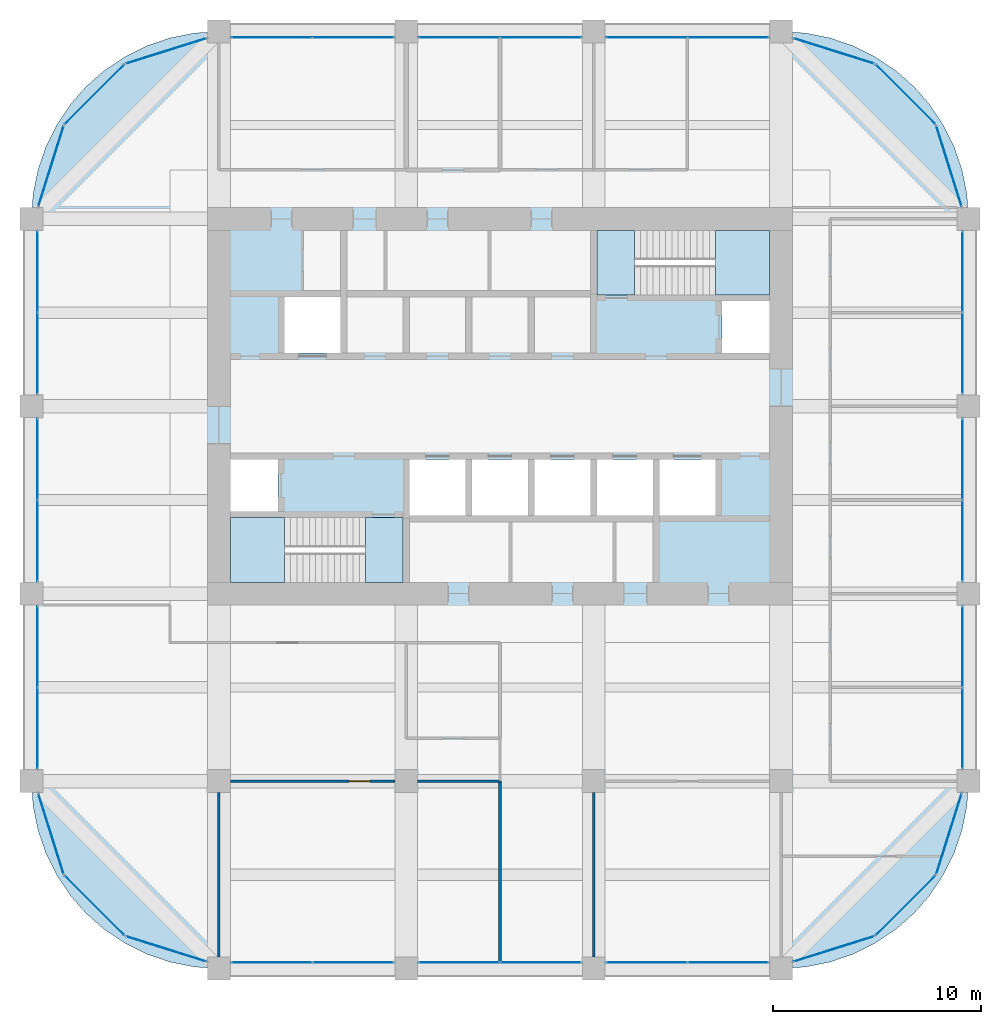
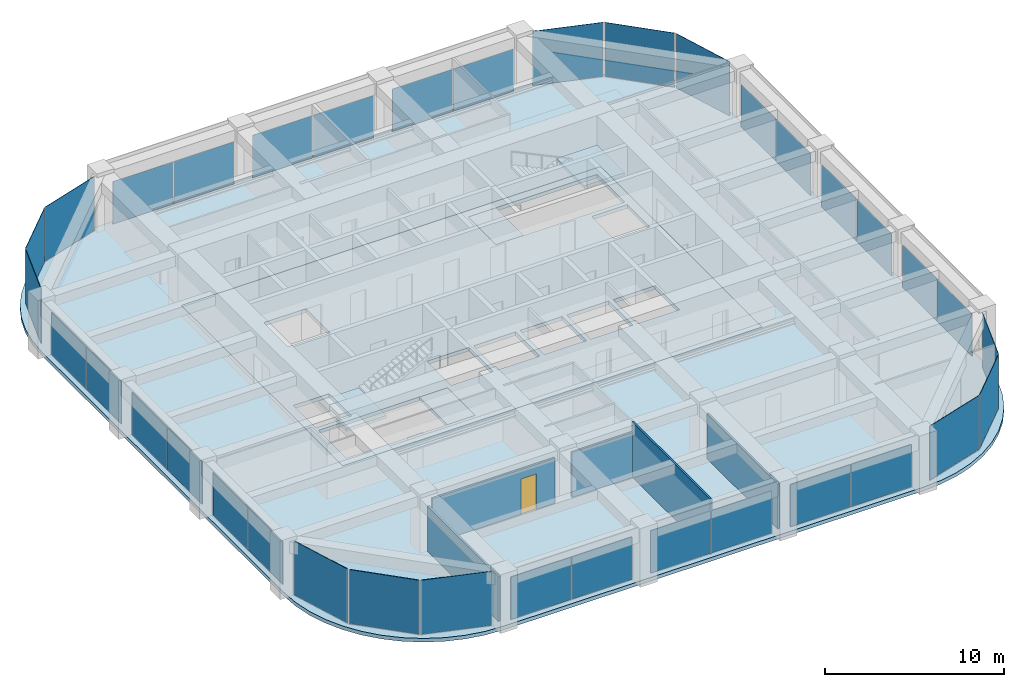
# One storey, part 40 of 45: 36 plates, 6 slabs, 5 walls, 1 door, 1 opening, 26 elements without a shape of their own.
"""IFC4 building model written with IfcOpenShell, lengths in metres."""

import ifcopenshell
import ifcopenshell.guid

model = None  # the IFC model being written
_history = None  # IfcOwnerHistory: only IFC2X3 demands one
_inside = {}  # id of a spatial element -> (the spatial element, [elements in it])
_under = {}  # id of a project, library or spatial element -> (it, [spatial elements below it])
_declared = {}  # id of a project -> (the project, [libraries it declares])
_typed = {}  # id of a type object -> (the type object, [elements of that type])
_made_of = {}  # id of a material, layer set ... -> (it, [elements and type objects made of it])


def new_model(schema):
    """Start an empty IFC model of exactly this schema.

    Asked for "IFC4X3", IfcOpenShell would pick the latest addendum, in which some entities
    have other attributes; the version numbers below select the first issue.
    IFC2X3 requires an IfcOwnerHistory on every rooted entity: one is made here for all.
    """
    global model, _history
    if schema == "IFC4X3":
        model = ifcopenshell.file(schema_version=(4, 3, 0, 0))
    else:
        model = ifcopenshell.file(schema=schema)
    _inside.clear()
    _under.clear()
    _declared.clear()
    _typed.clear()
    _made_of.clear()
    _history = None
    if model.schema == "IFC2X3":
        org = make("IfcOrganization", Name="unknown")
        user = make(
            "IfcPersonAndOrganization",
            ThePerson=make("IfcPerson", FamilyName="unknown"),
            TheOrganization=org,
        )
        app = make(
            "IfcApplication",
            ApplicationDeveloper=org,
            Version="unknown",
            ApplicationFullName="unknown",
            ApplicationIdentifier="unknown",
        )
        _history = make(
            "IfcOwnerHistory",
            OwningUser=user,
            OwningApplication=app,
            ChangeAction="ADDED",
            CreationDate=0,
        )
    return model


def make(cls, **values):
    """One entity of the class cls with the attributes given. An attribute that is None is left unset."""
    return model.create_entity(
        cls, **{name: value for name, value in values.items() if value is not None}
    )


def rooted(cls, **values):
    """An entity with a GlobalId (a new one), such as an element, a storey or a relation."""
    return make(cls, GlobalId=ifcopenshell.guid.new(), OwnerHistory=_history, **values)


def si_unit(unit_type, name, prefix=None):
    """IfcSIUnit, for example si_unit("LENGTHUNIT", "METRE", prefix="MILLI")."""
    return make("IfcSIUnit", UnitType=unit_type, Prefix=prefix, Name=name)


def assignment(units):
    """IfcUnitAssignment: the units of a project."""
    return None if units is None else make("IfcUnitAssignment", Units=units)


def point(xyz):
    """IfcCartesianPoint."""
    return None if xyz is None else make("IfcCartesianPoint", Coordinates=xyz)


def direction(xyz):
    """IfcDirection."""
    return None if xyz is None else make("IfcDirection", DirectionRatios=xyz)


def frame(location, z_axis=None, x_axis=None):
    """IfcAxis2Placement3D, a coordinate frame: its origin and axes. An axis left out is left unset."""
    return make(
        "IfcAxis2Placement3D",
        Location=point(location),
        Axis=direction(z_axis),
        RefDirection=direction(x_axis),
    )


def frame_2d(location, x_axis=None):
    """IfcAxis2Placement2D, a coordinate frame in the plane: its origin and x axis."""
    return make(
        "IfcAxis2Placement2D", Location=point(location), RefDirection=direction(x_axis)
    )


def origin():
    """The frame at (0, 0, 0) with its axes left unset."""
    return frame((0.0, 0.0, 0.0))


def origin_2d():
    """The frame at (0, 0) in the plane with its x axis left unset."""
    return frame_2d((0.0, 0.0))


def place(relative_to, where):
    """IfcLocalPlacement: puts the frame where relative to a parent placement (None: the world)."""
    return make(
        "IfcLocalPlacement", PlacementRelTo=relative_to, RelativePlacement=where
    )


def context(
    kind, dimensions, precision=None, world=None, true_north=None, identifier=None
):
    """IfcGeometricRepresentationContext, for example the 3D "Model" context."""
    return make(
        "IfcGeometricRepresentationContext",
        ContextIdentifier=identifier,
        ContextType=kind,
        CoordinateSpaceDimension=dimensions,
        Precision=precision,
        WorldCoordinateSystem=world,
        TrueNorth=true_north,
    )


def subcontext(parent, identifier, kind, view, scale=None):
    """IfcGeometricRepresentationSubContext, for example "Body" below "Model"."""
    return make(
        "IfcGeometricRepresentationSubContext",
        ContextIdentifier=identifier,
        ContextType=kind,
        ParentContext=parent,
        TargetScale=scale,
        TargetView=view,
    )


def project(units=None, contexts=None):
    """IfcProject with its units and contexts."""
    return rooted(
        "IfcProject",
        Name="project",
        RepresentationContexts=contexts,
        UnitsInContext=assignment(units),
    )


def spatial(cls, under=None, at=None, **own):
    """A site, building, storey or space (cls), placed at a placement, below another one or the project."""
    s = rooted(cls, ObjectPlacement=at, **own)
    if under is not None:
        _under.setdefault(under.id(), (under, []))[1].append(s)
    return s


def polyline(points):
    """IfcPolyline through the points."""
    return make("IfcPolyline", Points=[point(p) for p in points])


def profile(cls, at=None, kind="AREA", **sizes):
    """A parametric profile (cls). Its sizes go by their IFC names, for example OverallWidth=200.0."""
    return make(cls, ProfileType=kind, Position=at, **sizes)


def rectangle(**sizes):
    """IfcRectangleProfileDef."""
    return profile("IfcRectangleProfileDef", **sizes)


def outline(outer, holes=None, kind="AREA"):
    """IfcArbitraryClosedProfileDef: a profile drawn as a closed curve; with holes, ...WithVoids."""
    if holes is None:
        return make("IfcArbitraryClosedProfileDef", ProfileType=kind, OuterCurve=outer)
    return make(
        "IfcArbitraryProfileDefWithVoids",
        ProfileType=kind,
        OuterCurve=outer,
        InnerCurves=holes,
    )


def extrude(swept, where, along, depth):
    """IfcExtrudedAreaSolid: the profile swept, set in the frame where, extruded along a direction by depth."""
    return make(
        "IfcExtrudedAreaSolid",
        SweptArea=swept,
        Position=where,
        ExtrudedDirection=direction(along),
        Depth=depth,
    )


def shape(context_of_items, identifier, shape_type, items):
    """IfcShapeRepresentation: the items that make up one representation, for example the "Body"."""
    return make(
        "IfcShapeRepresentation",
        ContextOfItems=context_of_items,
        RepresentationIdentifier=identifier,
        RepresentationType=shape_type,
        Items=items,
    )


def material(Name=None, Category=None):
    """IfcMaterial."""
    return make("IfcMaterial", Name=Name, Category=Category)


def layer(
    of_material, thickness, ventilated=None, Name=None, Category=None, Priority=None
):
    """IfcMaterialLayer: one layer of a wall or slab, of a material (None: an air gap)."""
    return make(
        "IfcMaterialLayer",
        Material=of_material,
        LayerThickness=thickness,
        IsVentilated=ventilated,
        Name=Name,
        Category=Category,
        Priority=Priority,
    )


def layer_set(layers, Name=None):
    """IfcMaterialLayerSet."""
    return make("IfcMaterialLayerSet", MaterialLayers=layers, LayerSetName=Name)


def made_of(thing, what):
    """Note that an element or type object is made of a material, layer set ...; save() writes the relation."""
    if what is not None:
        _made_of.setdefault(what.id(), (what, []))[1].append(thing)
    return thing


def type_object(cls, material=None, **own):
    """A type object (cls), such as IfcWallType, which elements share."""
    return made_of(rooted(cls, **own), material)


def element(
    cls,
    number,
    at=None,
    inside=None,
    cuts=None,
    type_object=None,
    material=None,
    context=None,
    identifier="Body",
    shape_type=None,
    held_by="IfcProductDefinitionShape",
    body=None,
    shapes=None,
    **own,
):
    """One element of the class cls, such as IfcWall. Its Tag is "e" and its number.

    at: its placement. inside: the storey or other place that contains it. cuts: it is an
    opening in that element (IfcRelVoidsElement). A single representation is given by context,
    identifier, shape_type and body (its items); several are given by shapes. held_by: the class
    of the entity that holds the representations. save() writes the other relations.
    """
    e = rooted(cls, Tag="e%d" % number, ObjectPlacement=at, **own)
    if body is not None:
        shapes = [shape(context, identifier, shape_type, body)]
    if shapes is not None:
        e.Representation = make(held_by, Representations=shapes)
    if inside is not None:
        _inside.setdefault(inside.id(), (inside, []))[1].append(e)
    if cuts is not None:
        rooted(
            "IfcRelVoidsElement", RelatingBuildingElement=cuts, RelatedOpeningElement=e
        )
    if type_object is not None:
        _typed.setdefault(type_object.id(), (type_object, []))[1].append(e)
    return made_of(e, material)


def fill(opening, filler):
    """IfcRelFillsElement: the door or window that sits in an opening."""
    return rooted(
        "IfcRelFillsElement",
        RelatingOpeningElement=opening,
        RelatedBuildingElement=filler,
    )


def aggregate(whole, parts):
    """IfcRelAggregates: a whole, such as a stair, and the parts it consists of."""
    return rooted("IfcRelAggregates", RelatingObject=whole, RelatedObjects=parts)


def save(model, path):
    """Write the relations noted so far, then the file.

    IfcRelAggregates (storeys below a building ...), IfcRelContainedInSpatialStructure (elements
    in a storey), IfcRelDefinesByType, IfcRelAssociatesMaterial and IfcRelDeclares: one each for
    every whole, place, type object, material and project.
    """
    for whole, parts in _under.values():
        aggregate(whole, parts)
    for where, things in _inside.values():
        rooted(
            "IfcRelContainedInSpatialStructure",
            RelatedElements=things,
            RelatingStructure=where,
        )
    for kind, things in _typed.values():
        rooted("IfcRelDefinesByType", RelatedObjects=things, RelatingType=kind)
    for what, things in _made_of.values():
        rooted("IfcRelAssociatesMaterial", RelatedObjects=things, RelatingMaterial=what)
    for by, libraries in _declared.values():
        rooted("IfcRelDeclares", RelatingContext=by, RelatedDefinitions=libraries)
    model.write(path)


model = new_model("IFC4")

# Units and contexts
model_context = context("Model", 3, precision=1e-05, world=origin(), true_north=direction((0.0, 1.0)))
body_context = subcontext(model_context, "Body", "Model", "MODEL_VIEW")
ifc_project = project(units=[si_unit("LENGTHUNIT", "METRE"), si_unit("AREAUNIT", "SQUARE_METRE"), si_unit("VOLUMEUNIT", "CUBIC_METRE"), si_unit("PLANEANGLEUNIT", "RADIAN"), si_unit("MASSUNIT", "GRAM", prefix="KILO")], contexts=[model_context])

# Site, building, storey
site_placement = place(None, origin())
site = spatial("IfcSite", under=ifc_project, at=site_placement, CompositionType="ELEMENT")
building_placement = place(site_placement, origin())
building = spatial("IfcBuilding", under=site, at=building_placement, Name="Zorevar Civic Tower", CompositionType="ELEMENT")
storey_placement = place(building_placement, frame((0.0, 0.0, 279.39990234375)))
storey = spatial("IfcBuildingStorey", under=building, at=storey_placement, Name="L68", CompositionType="ELEMENT", Elevation=279.39990234375)

# Curtain wall, plates
ifc_material_1 = material(Name="Dark grey solar-control glass in black aluminium frame", Category="aluminium")
curtain_wall_type = type_object("IfcCurtainWallType", Name="Curtain wall CW5 top zone", PredefinedType="NOTDEFINED", material=ifc_material_1)
curtain_wall_1_placement = place(storey_placement, origin())
curtain_wall_1 = element("IfcCurtainWall", 1, at=curtain_wall_1_placement, inside=storey, type_object=curtain_wall_type, Name="CW5 L68", PredefinedType="NOTDEFINED")
ifc_material_2 = material(Name="Dark grey solar-control glass", Category="glass")
ifc_layer_1 = layer(ifc_material_2, 0.028076171875)
ifc_layer_set_1 = layer_set([ifc_layer_1], Name="CW5 panel 28")
plate_type = type_object("IfcPlateType", Name="CW5 panel 28", PredefinedType="CURTAIN_PANEL", material=ifc_layer_set_1)
plate_1_placement = place(storey_placement, frame((20.5400390625, 0.300048828125, 0.06005859375), z_axis=(0.0, 0.0, 1.0), x_axis=(1.0, 0.0, 0.0)))
plate_1 = element("IfcPlate", 2, at=plate_1_placement, type_object=plate_type, Name="CW5 panel 1.1", PredefinedType="CURTAIN_PANEL", context=body_context, shape_type="SweptSolid", body=[
    extrude(rectangle(XDim=3.860107421875, YDim=0.028076171875, at=origin_2d()), origin(), (0.0, 0.0, 1.0), 2.889892578125),
])
plate_2_placement = place(storey_placement, frame((24.4599609375, 0.300048828125, 0.06005859375), z_axis=(0.0, 0.0, 1.0), x_axis=(1.0, 0.0, 0.0)))
plate_2 = element("IfcPlate", 3, at=plate_2_placement, type_object=plate_type, Name="CW5 panel 2.1", PredefinedType="CURTAIN_PANEL", context=body_context, shape_type="SweptSolid", body=[
    extrude(rectangle(XDim=3.860107421875, YDim=0.028076171875, at=origin_2d()), origin(), (0.0, 0.0, 1.0), 2.889892578125),
])
aggregate(curtain_wall_1, [plate_1, plate_2])

curtain_wall_2_placement = place(storey_placement, origin())
curtain_wall_2 = element("IfcCurtainWall", 4, at=curtain_wall_2_placement, inside=storey, type_object=curtain_wall_type, Name="CW5 L68", PredefinedType="NOTDEFINED")
plate_3_placement = place(storey_placement, frame((20.5400390625, 44.699951171875, 0.06005859375), z_axis=(0.0, 0.0, 1.0), x_axis=(1.0, 0.0, 0.0)))
plate_3 = element("IfcPlate", 5, at=plate_3_placement, type_object=plate_type, Name="CW5 panel 1.1", PredefinedType="CURTAIN_PANEL", context=body_context, shape_type="SweptSolid", body=[
    extrude(rectangle(XDim=3.860107421875, YDim=0.028076171875, at=origin_2d()), origin(), (0.0, 0.0, 1.0), 2.889892578125),
])
plate_4_placement = place(storey_placement, frame((24.4599609375, 44.699951171875, 0.06005859375), z_axis=(0.0, 0.0, 1.0), x_axis=(1.0, 0.0, 0.0)))
plate_4 = element("IfcPlate", 6, at=plate_4_placement, type_object=plate_type, Name="CW5 panel 2.1", PredefinedType="CURTAIN_PANEL", context=body_context, shape_type="SweptSolid", body=[
    extrude(rectangle(XDim=3.860107421875, YDim=0.028076171875, at=origin_2d()), origin(), (0.0, 0.0, 1.0), 2.889892578125),
])
aggregate(curtain_wall_2, [plate_3, plate_4])

curtain_wall_3_placement = place(storey_placement, origin())
curtain_wall_3 = element("IfcCurtainWall", 7, at=curtain_wall_3_placement, inside=storey, type_object=curtain_wall_type, Name="CW5 L68", PredefinedType="NOTDEFINED")
plate_5_placement = place(storey_placement, frame((29.5400390625, 0.300048828125, 0.06005859375), z_axis=(0.0, 0.0, 1.0), x_axis=(1.0, 0.0, 0.0)))
plate_5 = element("IfcPlate", 8, at=plate_5_placement, type_object=plate_type, Name="CW5 panel 1.1", PredefinedType="CURTAIN_PANEL", context=body_context, shape_type="SweptSolid", body=[
    extrude(rectangle(XDim=3.860107421875, YDim=0.028076171875, at=origin_2d()), origin(), (0.0, 0.0, 1.0), 2.889892578125),
])
plate_6_placement = place(storey_placement, frame((33.4599609375, 0.300048828125, 0.06005859375), z_axis=(0.0, 0.0, 1.0), x_axis=(1.0, 0.0, 0.0)))
plate_6 = element("IfcPlate", 9, at=plate_6_placement, type_object=plate_type, Name="CW5 panel 2.1", PredefinedType="CURTAIN_PANEL", context=body_context, shape_type="SweptSolid", body=[
    extrude(rectangle(XDim=3.860107421875, YDim=0.028076171875, at=origin_2d()), origin(), (0.0, 0.0, 1.0), 2.889892578125),
])
aggregate(curtain_wall_3, [plate_5, plate_6])

curtain_wall_4_placement = place(storey_placement, origin())
curtain_wall_4 = element("IfcCurtainWall", 10, at=curtain_wall_4_placement, inside=storey, type_object=curtain_wall_type, Name="CW5 L68", PredefinedType="NOTDEFINED")
plate_7_placement = place(storey_placement, frame((29.5400390625, 44.699951171875, 0.06005859375), z_axis=(0.0, 0.0, 1.0), x_axis=(1.0, 0.0, 0.0)))
plate_7 = element("IfcPlate", 11, at=plate_7_placement, type_object=plate_type, Name="CW5 panel 1.1", PredefinedType="CURTAIN_PANEL", context=body_context, shape_type="SweptSolid", body=[
    extrude(rectangle(XDim=3.860107421875, YDim=0.028076171875, at=origin_2d()), origin(), (0.0, 0.0, 1.0), 2.889892578125),
])
plate_8_placement = place(storey_placement, frame((33.4599609375, 44.699951171875, 0.06005859375), z_axis=(0.0, 0.0, 1.0), x_axis=(1.0, 0.0, 0.0)))
plate_8 = element("IfcPlate", 12, at=plate_8_placement, type_object=plate_type, Name="CW5 panel 2.1", PredefinedType="CURTAIN_PANEL", context=body_context, shape_type="SweptSolid", body=[
    extrude(rectangle(XDim=3.860107421875, YDim=0.028076171875, at=origin_2d()), origin(), (0.0, 0.0, 1.0), 2.889892578125),
])
aggregate(curtain_wall_4, [plate_7, plate_8])

curtain_wall_5_placement = place(storey_placement, origin())
curtain_wall_5 = element("IfcCurtainWall", 13, at=curtain_wall_5_placement, inside=storey, type_object=curtain_wall_type, Name="CW5 L68", PredefinedType="NOTDEFINED")
plate_9_placement = place(storey_placement, frame((38.5400390625, 0.300048828125, 0.06005859375), z_axis=(0.0, 0.0, 1.0), x_axis=(1.0, 0.0, 0.0)))
plate_9 = element("IfcPlate", 14, at=plate_9_placement, type_object=plate_type, Name="CW5 panel 1.1", PredefinedType="CURTAIN_PANEL", context=body_context, shape_type="SweptSolid", body=[
    extrude(rectangle(XDim=3.860107421875, YDim=0.028076171875, at=origin_2d()), origin(), (0.0, 0.0, 1.0), 2.889892578125),
])
plate_10_placement = place(storey_placement, frame((42.4599609375, 0.300048828125, 0.06005859375), z_axis=(0.0, 0.0, 1.0), x_axis=(1.0, 0.0, 0.0)))
plate_10 = element("IfcPlate", 15, at=plate_10_placement, type_object=plate_type, Name="CW5 panel 2.1", PredefinedType="CURTAIN_PANEL", context=body_context, shape_type="SweptSolid", body=[
    extrude(rectangle(XDim=3.860107421875, YDim=0.028076171875, at=origin_2d()), origin(), (0.0, 0.0, 1.0), 2.889892578125),
])
aggregate(curtain_wall_5, [plate_9, plate_10])

curtain_wall_6_placement = place(storey_placement, origin())
curtain_wall_6 = element("IfcCurtainWall", 16, at=curtain_wall_6_placement, inside=storey, type_object=curtain_wall_type, Name="CW5 L68", PredefinedType="NOTDEFINED")
plate_11_placement = place(storey_placement, frame((38.5400390625, 44.699951171875, 0.06005859375), z_axis=(0.0, 0.0, 1.0), x_axis=(1.0, 0.0, 0.0)))
plate_11 = element("IfcPlate", 17, at=plate_11_placement, type_object=plate_type, Name="CW5 panel 1.1", PredefinedType="CURTAIN_PANEL", context=body_context, shape_type="SweptSolid", body=[
    extrude(rectangle(XDim=3.860107421875, YDim=0.028076171875, at=origin_2d()), origin(), (0.0, 0.0, 1.0), 2.889892578125),
])
plate_12_placement = place(storey_placement, frame((42.4599609375, 44.699951171875, 0.06005859375), z_axis=(0.0, 0.0, 1.0), x_axis=(1.0, 0.0, 0.0)))
plate_12 = element("IfcPlate", 18, at=plate_12_placement, type_object=plate_type, Name="CW5 panel 2.1", PredefinedType="CURTAIN_PANEL", context=body_context, shape_type="SweptSolid", body=[
    extrude(rectangle(XDim=3.860107421875, YDim=0.028076171875, at=origin_2d()), origin(), (0.0, 0.0, 1.0), 2.889892578125),
])
aggregate(curtain_wall_6, [plate_11, plate_12])

curtain_wall_7_placement = place(storey_placement, origin())
curtain_wall_7 = element("IfcCurtainWall", 19, at=curtain_wall_7_placement, inside=storey, type_object=curtain_wall_type, Name="CW5 L68", PredefinedType="NOTDEFINED")
plate_13_placement = place(storey_placement, frame((9.300048828125, 11.5400390625, 0.06005859375), z_axis=(0.0, 0.0, 1.0), x_axis=(0.0, 1.0, 0.0)))
plate_13 = element("IfcPlate", 20, at=plate_13_placement, type_object=plate_type, Name="CW5 panel 1.1", PredefinedType="CURTAIN_PANEL", context=body_context, shape_type="SweptSolid", body=[
    extrude(rectangle(XDim=3.860107421875, YDim=0.028076171875, at=origin_2d()), origin(), (0.0, 0.0, 1.0), 2.889892578125),
])
plate_14_placement = place(storey_placement, frame((9.300048828125, 15.4599609375, 0.06005859375), z_axis=(0.0, 0.0, 1.0), x_axis=(0.0, 1.0, 0.0)))
plate_14 = element("IfcPlate", 21, at=plate_14_placement, type_object=plate_type, Name="CW5 panel 2.1", PredefinedType="CURTAIN_PANEL", context=body_context, shape_type="SweptSolid", body=[
    extrude(rectangle(XDim=3.860107421875, YDim=0.028076171875, at=origin_2d()), origin(), (0.0, 0.0, 1.0), 2.889892578125),
])
aggregate(curtain_wall_7, [plate_13, plate_14])

curtain_wall_8_placement = place(storey_placement, origin())
curtain_wall_8 = element("IfcCurtainWall", 22, at=curtain_wall_8_placement, inside=storey, type_object=curtain_wall_type, Name="CW5 L68", PredefinedType="NOTDEFINED")
plate_15_placement = place(storey_placement, frame((53.699951171875, 11.5400390625, 0.06005859375), z_axis=(0.0, 0.0, 1.0), x_axis=(0.0, 1.0, 0.0)))
plate_15 = element("IfcPlate", 23, at=plate_15_placement, type_object=plate_type, Name="CW5 panel 1.1", PredefinedType="CURTAIN_PANEL", context=body_context, shape_type="SweptSolid", body=[
    extrude(rectangle(XDim=3.860107421875, YDim=0.028076171875, at=origin_2d()), origin(), (0.0, 0.0, 1.0), 2.889892578125),
])
plate_16_placement = place(storey_placement, frame((53.699951171875, 15.4599609375, 0.06005859375), z_axis=(0.0, 0.0, 1.0), x_axis=(0.0, 1.0, 0.0)))
plate_16 = element("IfcPlate", 24, at=plate_16_placement, type_object=plate_type, Name="CW5 panel 2.1", PredefinedType="CURTAIN_PANEL", context=body_context, shape_type="SweptSolid", body=[
    extrude(rectangle(XDim=3.860107421875, YDim=0.028076171875, at=origin_2d()), origin(), (0.0, 0.0, 1.0), 2.889892578125),
])
aggregate(curtain_wall_8, [plate_15, plate_16])

curtain_wall_9_placement = place(storey_placement, origin())
curtain_wall_9 = element("IfcCurtainWall", 25, at=curtain_wall_9_placement, inside=storey, type_object=curtain_wall_type, Name="CW5 L68", PredefinedType="NOTDEFINED")
plate_17_placement = place(storey_placement, frame((9.300048828125, 20.5400390625, 0.06005859375), z_axis=(0.0, 0.0, 1.0), x_axis=(0.0, 1.0, 0.0)))
plate_17 = element("IfcPlate", 26, at=plate_17_placement, type_object=plate_type, Name="CW5 panel 1.1", PredefinedType="CURTAIN_PANEL", context=body_context, shape_type="SweptSolid", body=[
    extrude(rectangle(XDim=3.860107421875, YDim=0.028076171875, at=origin_2d()), origin(), (0.0, 0.0, 1.0), 2.889892578125),
])
plate_18_placement = place(storey_placement, frame((9.300048828125, 24.4599609375, 0.06005859375), z_axis=(0.0, 0.0, 1.0), x_axis=(0.0, 1.0, 0.0)))
plate_18 = element("IfcPlate", 27, at=plate_18_placement, type_object=plate_type, Name="CW5 panel 2.1", PredefinedType="CURTAIN_PANEL", context=body_context, shape_type="SweptSolid", body=[
    extrude(rectangle(XDim=3.860107421875, YDim=0.028076171875, at=origin_2d()), origin(), (0.0, 0.0, 1.0), 2.889892578125),
])
aggregate(curtain_wall_9, [plate_17, plate_18])

curtain_wall_10_placement = place(storey_placement, origin())
curtain_wall_10 = element("IfcCurtainWall", 28, at=curtain_wall_10_placement, inside=storey, type_object=curtain_wall_type, Name="CW5 L68", PredefinedType="NOTDEFINED")
plate_19_placement = place(storey_placement, frame((53.699951171875, 20.5400390625, 0.06005859375), z_axis=(0.0, 0.0, 1.0), x_axis=(0.0, 1.0, 0.0)))
plate_19 = element("IfcPlate", 29, at=plate_19_placement, type_object=plate_type, Name="CW5 panel 1.1", PredefinedType="CURTAIN_PANEL", context=body_context, shape_type="SweptSolid", body=[
    extrude(rectangle(XDim=3.860107421875, YDim=0.028076171875, at=origin_2d()), origin(), (0.0, 0.0, 1.0), 2.889892578125),
])
plate_20_placement = place(storey_placement, frame((53.699951171875, 24.4599609375, 0.06005859375), z_axis=(0.0, 0.0, 1.0), x_axis=(0.0, 1.0, 0.0)))
plate_20 = element("IfcPlate", 30, at=plate_20_placement, type_object=plate_type, Name="CW5 panel 2.1", PredefinedType="CURTAIN_PANEL", context=body_context, shape_type="SweptSolid", body=[
    extrude(rectangle(XDim=3.860107421875, YDim=0.028076171875, at=origin_2d()), origin(), (0.0, 0.0, 1.0), 2.889892578125),
])
aggregate(curtain_wall_10, [plate_19, plate_20])

curtain_wall_11_placement = place(storey_placement, origin())
curtain_wall_11 = element("IfcCurtainWall", 31, at=curtain_wall_11_placement, inside=storey, type_object=curtain_wall_type, Name="CW5 L68", PredefinedType="NOTDEFINED")
plate_21_placement = place(storey_placement, frame((9.300048828125, 29.5400390625, 0.06005859375), z_axis=(0.0, 0.0, 1.0), x_axis=(0.0, 1.0, 0.0)))
plate_21 = element("IfcPlate", 32, at=plate_21_placement, type_object=plate_type, Name="CW5 panel 1.1", PredefinedType="CURTAIN_PANEL", context=body_context, shape_type="SweptSolid", body=[
    extrude(rectangle(XDim=3.860107421875, YDim=0.028076171875, at=origin_2d()), origin(), (0.0, 0.0, 1.0), 2.889892578125),
])
plate_22_placement = place(storey_placement, frame((9.300048828125, 33.4599609375, 0.06005859375), z_axis=(0.0, 0.0, 1.0), x_axis=(0.0, 1.0, 0.0)))
plate_22 = element("IfcPlate", 33, at=plate_22_placement, type_object=plate_type, Name="CW5 panel 2.1", PredefinedType="CURTAIN_PANEL", context=body_context, shape_type="SweptSolid", body=[
    extrude(rectangle(XDim=3.860107421875, YDim=0.028076171875, at=origin_2d()), origin(), (0.0, 0.0, 1.0), 2.889892578125),
])
aggregate(curtain_wall_11, [plate_21, plate_22])

curtain_wall_12_placement = place(storey_placement, origin())
curtain_wall_12 = element("IfcCurtainWall", 34, at=curtain_wall_12_placement, inside=storey, type_object=curtain_wall_type, Name="CW5 L68", PredefinedType="NOTDEFINED")
plate_23_placement = place(storey_placement, frame((53.699951171875, 29.5400390625, 0.06005859375), z_axis=(0.0, 0.0, 1.0), x_axis=(0.0, 1.0, 0.0)))
plate_23 = element("IfcPlate", 35, at=plate_23_placement, type_object=plate_type, Name="CW5 panel 1.1", PredefinedType="CURTAIN_PANEL", context=body_context, shape_type="SweptSolid", body=[
    extrude(rectangle(XDim=3.860107421875, YDim=0.028076171875, at=origin_2d()), origin(), (0.0, 0.0, 1.0), 2.889892578125),
])
plate_24_placement = place(storey_placement, frame((53.699951171875, 33.4599609375, 0.06005859375), z_axis=(0.0, 0.0, 1.0), x_axis=(0.0, 1.0, 0.0)))
plate_24 = element("IfcPlate", 36, at=plate_24_placement, type_object=plate_type, Name="CW5 panel 2.1", PredefinedType="CURTAIN_PANEL", context=body_context, shape_type="SweptSolid", body=[
    extrude(rectangle(XDim=3.860107421875, YDim=0.028076171875, at=origin_2d()), origin(), (0.0, 0.0, 1.0), 2.889892578125),
])
aggregate(curtain_wall_12, [plate_23, plate_24])

# Curtain wall, plate
curtain_wall_13_placement = place(storey_placement, origin())
curtain_wall_13 = element("IfcCurtainWall", 37, at=curtain_wall_13_placement, inside=storey, type_object=curtain_wall_type, Name="CW5 L68", PredefinedType="NOTDEFINED")
plate_25_placement = place(storey_placement, frame((47.52880859375, 0.938232421875, 0.06005859375), z_axis=(0.0, 0.0, 1.0), x_axis=(0.954153437674, 0.299317920238, 0.0)))
plate_25 = element("IfcPlate", 38, at=plate_25_placement, type_object=plate_type, Name="CW5 panel 1.1", PredefinedType="CURTAIN_PANEL", context=body_context, shape_type="SweptSolid", body=[
    extrude(rectangle(XDim=4.028076171875, YDim=0.028076171875, at=origin_2d()), origin(), (0.0, 0.0, 1.0), 3.68994140625),
])
aggregate(curtain_wall_13, [plate_25])

curtain_wall_14_placement = place(storey_placement, origin())
curtain_wall_14 = element("IfcCurtainWall", 39, at=curtain_wall_14_placement, inside=storey, type_object=curtain_wall_type, Name="CW5 L68", PredefinedType="NOTDEFINED")
plate_26_placement = place(storey_placement, frame((50.974365234375, 3.025634765625, 0.06005859375), z_axis=(0.0, 0.0, 1.0), x_axis=(0.707106781187, 0.707106781187, 0.0)))
plate_26 = element("IfcPlate", 40, at=plate_26_placement, type_object=plate_type, Name="CW5 panel 1.1", PredefinedType="CURTAIN_PANEL", context=body_context, shape_type="SweptSolid", body=[
    extrude(rectangle(XDim=4.028076171875, YDim=0.028076171875, at=origin_2d()), origin(), (0.0, 0.0, 1.0), 3.68994140625),
])
aggregate(curtain_wall_14, [plate_26])

curtain_wall_15_placement = place(storey_placement, origin())
curtain_wall_15 = element("IfcCurtainWall", 41, at=curtain_wall_15_placement, inside=storey, type_object=curtain_wall_type, Name="CW5 L68", PredefinedType="NOTDEFINED")
plate_27_placement = place(storey_placement, frame((53.061767578125, 6.47119140625, 0.06005859375), z_axis=(0.0, 0.0, 1.0), x_axis=(0.299317920238, 0.954153437674, 0.0)))
plate_27 = element("IfcPlate", 42, at=plate_27_placement, type_object=plate_type, Name="CW5 panel 1.1", PredefinedType="CURTAIN_PANEL", context=body_context, shape_type="SweptSolid", body=[
    extrude(rectangle(XDim=4.028076171875, YDim=0.028076171875, at=origin_2d()), origin(), (0.0, 0.0, 1.0), 3.68994140625),
])
aggregate(curtain_wall_15, [plate_27])

curtain_wall_16_placement = place(storey_placement, origin())
curtain_wall_16 = element("IfcCurtainWall", 43, at=curtain_wall_16_placement, inside=storey, type_object=curtain_wall_type, Name="CW5 L68", PredefinedType="NOTDEFINED")
plate_28_placement = place(storey_placement, frame((53.061767578125, 38.52880859375, 0.06005859375), z_axis=(0.0, 0.0, 1.0), x_axis=(-0.299317920238, 0.954153437674, 0.0)))
plate_28 = element("IfcPlate", 44, at=plate_28_placement, type_object=plate_type, Name="CW5 panel 1.1", PredefinedType="CURTAIN_PANEL", context=body_context, shape_type="SweptSolid", body=[
    extrude(rectangle(XDim=4.028076171875, YDim=0.028076171875, at=origin_2d()), origin(), (0.0, 0.0, 1.0), 3.68994140625),
])
aggregate(curtain_wall_16, [plate_28])

curtain_wall_17_placement = place(storey_placement, origin())
curtain_wall_17 = element("IfcCurtainWall", 45, at=curtain_wall_17_placement, inside=storey, type_object=curtain_wall_type, Name="CW5 L68", PredefinedType="NOTDEFINED")
plate_29_placement = place(storey_placement, frame((50.974365234375, 41.974365234375, 0.06005859375), z_axis=(0.0, 0.0, 1.0), x_axis=(-0.707106781187, 0.707106781187, 0.0)))
plate_29 = element("IfcPlate", 46, at=plate_29_placement, type_object=plate_type, Name="CW5 panel 1.1", PredefinedType="CURTAIN_PANEL", context=body_context, shape_type="SweptSolid", body=[
    extrude(rectangle(XDim=4.028076171875, YDim=0.028076171875, at=origin_2d()), origin(), (0.0, 0.0, 1.0), 3.68994140625),
])
aggregate(curtain_wall_17, [plate_29])

curtain_wall_18_placement = place(storey_placement, origin())
curtain_wall_18 = element("IfcCurtainWall", 47, at=curtain_wall_18_placement, inside=storey, type_object=curtain_wall_type, Name="CW5 L68", PredefinedType="NOTDEFINED")
plate_30_placement = place(storey_placement, frame((47.52880859375, 44.061767578125, 0.06005859375), z_axis=(0.0, 0.0, 1.0), x_axis=(-0.954153437674, 0.299317920238, 0.0)))
plate_30 = element("IfcPlate", 48, at=plate_30_placement, type_object=plate_type, Name="CW5 panel 1.1", PredefinedType="CURTAIN_PANEL", context=body_context, shape_type="SweptSolid", body=[
    extrude(rectangle(XDim=4.028076171875, YDim=0.028076171875, at=origin_2d()), origin(), (0.0, 0.0, 1.0), 3.68994140625),
])
aggregate(curtain_wall_18, [plate_30])

curtain_wall_19_placement = place(storey_placement, origin())
curtain_wall_19 = element("IfcCurtainWall", 49, at=curtain_wall_19_placement, inside=storey, type_object=curtain_wall_type, Name="CW5 L68", PredefinedType="NOTDEFINED")
plate_31_placement = place(storey_placement, frame((15.47119140625, 44.061767578125, 0.06005859375), z_axis=(0.0, 0.0, 1.0), x_axis=(-0.954153437674, -0.299317920238, 0.0)))
plate_31 = element("IfcPlate", 50, at=plate_31_placement, type_object=plate_type, Name="CW5 panel 1.1", PredefinedType="CURTAIN_PANEL", context=body_context, shape_type="SweptSolid", body=[
    extrude(rectangle(XDim=4.028076171875, YDim=0.028076171875, at=origin_2d()), origin(), (0.0, 0.0, 1.0), 3.68994140625),
])
aggregate(curtain_wall_19, [plate_31])

curtain_wall_20_placement = place(storey_placement, origin())
curtain_wall_20 = element("IfcCurtainWall", 51, at=curtain_wall_20_placement, inside=storey, type_object=curtain_wall_type, Name="CW5 L68", PredefinedType="NOTDEFINED")
plate_32_placement = place(storey_placement, frame((12.025634765625, 41.974365234375, 0.06005859375), z_axis=(0.0, 0.0, 1.0), x_axis=(-0.707106781187, -0.707106781187, 0.0)))
plate_32 = element("IfcPlate", 52, at=plate_32_placement, type_object=plate_type, Name="CW5 panel 1.1", PredefinedType="CURTAIN_PANEL", context=body_context, shape_type="SweptSolid", body=[
    extrude(rectangle(XDim=4.028076171875, YDim=0.028076171875, at=origin_2d()), origin(), (0.0, 0.0, 1.0), 3.68994140625),
])
aggregate(curtain_wall_20, [plate_32])

curtain_wall_21_placement = place(storey_placement, origin())
curtain_wall_21 = element("IfcCurtainWall", 53, at=curtain_wall_21_placement, inside=storey, type_object=curtain_wall_type, Name="CW5 L68", PredefinedType="NOTDEFINED")
plate_33_placement = place(storey_placement, frame((9.938232421875, 38.52880859375, 0.06005859375), z_axis=(0.0, 0.0, 1.0), x_axis=(-0.299317920238, -0.954153437674, 0.0)))
plate_33 = element("IfcPlate", 54, at=plate_33_placement, type_object=plate_type, Name="CW5 panel 1.1", PredefinedType="CURTAIN_PANEL", context=body_context, shape_type="SweptSolid", body=[
    extrude(rectangle(XDim=4.028076171875, YDim=0.028076171875, at=origin_2d()), origin(), (0.0, 0.0, 1.0), 3.68994140625),
])
aggregate(curtain_wall_21, [plate_33])

curtain_wall_22_placement = place(storey_placement, origin())
curtain_wall_22 = element("IfcCurtainWall", 55, at=curtain_wall_22_placement, inside=storey, type_object=curtain_wall_type, Name="CW5 L68", PredefinedType="NOTDEFINED")
plate_34_placement = place(storey_placement, frame((9.938232421875, 6.47119140625, 0.06005859375), z_axis=(0.0, 0.0, 1.0), x_axis=(0.299317920238, -0.954153437674, 0.0)))
plate_34 = element("IfcPlate", 56, at=plate_34_placement, type_object=plate_type, Name="CW5 panel 1.1", PredefinedType="CURTAIN_PANEL", context=body_context, shape_type="SweptSolid", body=[
    extrude(rectangle(XDim=4.028076171875, YDim=0.028076171875, at=origin_2d()), origin(), (0.0, 0.0, 1.0), 3.68994140625),
])
aggregate(curtain_wall_22, [plate_34])

curtain_wall_23_placement = place(storey_placement, origin())
curtain_wall_23 = element("IfcCurtainWall", 57, at=curtain_wall_23_placement, inside=storey, type_object=curtain_wall_type, Name="CW5 L68", PredefinedType="NOTDEFINED")
plate_35_placement = place(storey_placement, frame((12.025634765625, 3.025634765625, 0.06005859375), z_axis=(0.0, 0.0, 1.0), x_axis=(0.707106781187, -0.707106781187, 0.0)))
plate_35 = element("IfcPlate", 58, at=plate_35_placement, type_object=plate_type, Name="CW5 panel 1.1", PredefinedType="CURTAIN_PANEL", context=body_context, shape_type="SweptSolid", body=[
    extrude(rectangle(XDim=4.028076171875, YDim=0.028076171875, at=origin_2d()), origin(), (0.0, 0.0, 1.0), 3.68994140625),
])
aggregate(curtain_wall_23, [plate_35])

curtain_wall_24_placement = place(storey_placement, origin())
curtain_wall_24 = element("IfcCurtainWall", 59, at=curtain_wall_24_placement, inside=storey, type_object=curtain_wall_type, Name="CW5 L68", PredefinedType="NOTDEFINED")
plate_36_placement = place(storey_placement, frame((15.47119140625, 0.938232421875, 0.06005859375), z_axis=(0.0, 0.0, 1.0), x_axis=(0.954153437674, -0.299317920238, 0.0)))
plate_36 = element("IfcPlate", 60, at=plate_36_placement, type_object=plate_type, Name="CW5 panel 1.1", PredefinedType="CURTAIN_PANEL", context=body_context, shape_type="SweptSolid", body=[
    extrude(rectangle(XDim=4.028076171875, YDim=0.028076171875, at=origin_2d()), origin(), (0.0, 0.0, 1.0), 3.68994140625),
])
aggregate(curtain_wall_24, [plate_36])

# Slabs
ifc_material_3 = material(Name="Concrete C40/50", Category="concrete")
ifc_layer_2 = layer(ifc_material_3, 0.25)
ifc_layer_set_2 = layer_set([ifc_layer_2], Name="Compartment floor slab 250")
slab_type_1 = type_object("IfcSlabType", Name="Compartment floor slab 250", PredefinedType="FLOOR", material=ifc_layer_set_2)
slab_1_placement = place(storey_placement, frame((0.0, 0.0, -0.25)))
element("IfcSlab", 61, at=slab_1_placement, inside=storey, type_object=slab_type_1, Name="Floor slab L68", PredefinedType="FLOOR", context=body_context, shape_type="SweptSolid", body=[
    extrude(outline(polyline([(45.0, 0.0), (46.1748046875, 0.076904296875), (47.329345703125, 0.306640625), (48.444091796875, 0.68505859375), (49.5, 1.205810546875), (50.478759765625, 1.85986328125), (51.364013671875, 2.635986328125), (52.14013671875, 3.521240234375), (52.794189453125, 4.5), (53.31494140625, 5.555908203125), (53.693359375, 6.670654296875), (53.923095703125, 7.8251953125), (54.0, 9.0), (54.0, 36.0), (53.923095703125, 37.1748046875), (53.693359375, 38.329345703125), (53.31494140625, 39.444091796875), (52.794189453125, 40.5), (52.14013671875, 41.478759765625), (51.364013671875, 42.364013671875), (50.478759765625, 43.14013671875), (49.5, 43.794189453125), (48.444091796875, 44.31494140625), (47.329345703125, 44.693359375), (46.1748046875, 44.923095703125), (45.0, 45.0), (18.0, 45.0), (16.8251953125, 44.923095703125), (15.670654296875, 44.693359375), (14.555908203125, 44.31494140625), (13.5, 43.794189453125), (12.521240234375, 43.14013671875), (11.635986328125, 42.364013671875), (10.85986328125, 41.478759765625), (10.205810546875, 40.5), (9.68505859375, 39.444091796875), (9.306640625, 38.329345703125), (9.076904296875, 37.1748046875), (9.0, 36.0), (9.0, 9.0), (9.076904296875, 7.8251953125), (9.306640625, 6.670654296875), (9.68505859375, 5.555908203125), (10.205810546875, 4.5), (10.85986328125, 3.521240234375), (11.635986328125, 2.635986328125), (12.521240234375, 1.85986328125), (13.5, 1.205810546875), (14.555908203125, 0.68505859375), (15.670654296875, 0.306640625), (16.8251953125, 0.076904296875), (18.0, 0.0), (45.0, 0.0)]), holes=[polyline([(18.0, 18.0), (45.0, 18.0), (45.0, 36.0), (18.0, 36.0), (18.0, 18.0)])]), origin(), (0.0, 0.0, 1.0), 0.25),
])
slab_2_placement = place(storey_placement, frame((0.0, 0.0, -0.25)))
element("IfcSlab", 62, at=slab_2_placement, inside=storey, type_object=slab_type_1, Name="Core floor L68", PredefinedType="FLOOR", context=body_context, shape_type="SweptSolid", body=[
    extrude(outline(polyline([(18.0, 18.0), (45.0, 18.0), (45.0, 36.0), (18.0, 36.0), (18.0, 18.0)]), holes=[polyline([(18.550048828125, 18.550048828125), (26.85009765625, 18.550048828125), (26.85009765625, 21.64990234375), (18.550048828125, 21.64990234375), (18.550048828125, 18.550048828125)]), polyline([(36.14990234375, 32.35009765625), (44.449951171875, 32.35009765625), (44.449951171875, 35.449951171875), (36.14990234375, 35.449951171875), (36.14990234375, 32.35009765625)]), polyline([(18.550048828125, 21.949951171875), (20.85009765625, 21.949951171875), (20.85009765625, 24.449951171875), (18.550048828125, 24.449951171875), (18.550048828125, 21.949951171875)]), polyline([(42.14990234375, 29.550048828125), (44.449951171875, 29.550048828125), (44.449951171875, 32.050048828125), (42.14990234375, 32.050048828125), (42.14990234375, 29.550048828125)]), polyline([(27.14990234375, 21.75), (29.85009765625, 21.75), (29.85009765625, 24.449951171875), (27.14990234375, 24.449951171875), (27.14990234375, 21.75)]), polyline([(30.14990234375, 21.75), (32.85009765625, 21.75), (32.85009765625, 24.449951171875), (30.14990234375, 24.449951171875), (30.14990234375, 21.75)]), polyline([(33.14990234375, 21.75), (35.85009765625, 21.75), (35.85009765625, 24.449951171875), (33.14990234375, 24.449951171875), (33.14990234375, 21.75)]), polyline([(36.14990234375, 21.75), (38.85009765625, 21.75), (38.85009765625, 24.449951171875), (36.14990234375, 24.449951171875), (36.14990234375, 21.75)]), polyline([(39.14990234375, 21.75), (41.85009765625, 21.75), (41.85009765625, 24.449951171875), (39.14990234375, 24.449951171875), (39.14990234375, 21.75)]), polyline([(21.14990234375, 29.550048828125), (23.85009765625, 29.550048828125), (23.85009765625, 32.25), (21.14990234375, 32.25), (21.14990234375, 29.550048828125)])]), origin(), (0.0, 0.0, 1.0), 0.25),
])

# Stair, slabs
ifc_material_4 = material(Name="Precast concrete C40/50", Category="concrete")
stair_type = type_object("IfcStairType", Name="Stair ST 28R", PredefinedType="HALF_TURN_STAIR", material=ifc_material_4)
stair_1_placement = place(storey_placement, origin())
stair_1 = element("IfcStair", 63, at=stair_1_placement, inside=storey, type_object=stair_type, Name="Stair ST1 L68", PredefinedType="HALF_TURN_STAIR")
ifc_material_5 = material(Name="Concrete C40/50", Category="concrete")
ifc_layer_3 = layer(ifc_material_5, 0.199951171875)
ifc_layer_set_3 = layer_set([ifc_layer_3], Name="Stair landing 200")
slab_type_2 = type_object("IfcSlabType", Name="Stair landing 200", PredefinedType="LANDING", material=ifc_layer_set_3)
slab_3_placement = place(storey_placement, frame((0.0, 0.0, -0.199951171875)))
slab_3 = element("IfcSlab", 64, at=slab_3_placement, type_object=slab_type_2, Name="ST1 landing 1", PredefinedType="LANDING", context=body_context, shape_type="SweptSolid", body=[
    extrude(outline(polyline([(25.050048828125, 18.550048828125), (26.85009765625, 18.550048828125), (26.85009765625, 21.64990234375), (25.050048828125, 21.64990234375), (25.050048828125, 18.550048828125)])), origin(), (0.0, 0.0, 1.0), 0.199951171875),
])
slab_4_placement = place(storey_placement, frame((0.0, 0.0, 1.800048828125)))
slab_4 = element("IfcSlab", 65, at=slab_4_placement, type_object=slab_type_2, Name="ST1 landing 2", PredefinedType="LANDING", context=body_context, shape_type="SweptSolid", body=[
    extrude(outline(polyline([(18.550048828125, 18.550048828125), (21.14990234375, 18.550048828125), (21.14990234375, 21.64990234375), (18.550048828125, 21.64990234375), (18.550048828125, 18.550048828125)])), origin(), (0.0, 0.0, 1.0), 0.199951171875),
])
aggregate(stair_1, [slab_3, slab_4])

stair_2_placement = place(storey_placement, origin())
stair_2 = element("IfcStair", 66, at=stair_2_placement, inside=storey, type_object=stair_type, Name="Stair ST2 L68", PredefinedType="HALF_TURN_STAIR")
slab_5_placement = place(storey_placement, frame((0.0, 0.0, -0.199951171875)))
slab_5 = element("IfcSlab", 67, at=slab_5_placement, type_object=slab_type_2, Name="ST2 landing 1", PredefinedType="LANDING", context=body_context, shape_type="SweptSolid", body=[
    extrude(outline(polyline([(37.949951171875, 32.35009765625), (36.14990234375, 32.35009765625), (36.14990234375, 35.449951171875), (37.949951171875, 35.449951171875), (37.949951171875, 32.35009765625)])), origin(), (0.0, 0.0, 1.0), 0.199951171875),
])
slab_6_placement = place(storey_placement, frame((0.0, 0.0, 1.800048828125)))
slab_6 = element("IfcSlab", 68, at=slab_6_placement, type_object=slab_type_2, Name="ST2 landing 2", PredefinedType="LANDING", context=body_context, shape_type="SweptSolid", body=[
    extrude(outline(polyline([(44.449951171875, 32.35009765625), (41.85009765625, 32.35009765625), (41.85009765625, 35.449951171875), (44.449951171875, 35.449951171875), (44.449951171875, 32.35009765625)])), origin(), (0.0, 0.0, 1.0), 0.199951171875),
])
aggregate(stair_2, [slab_5, slab_6])

# Wall, opening, door
ifc_material_6 = material(Name="Gypsum board on steel studs", Category="steel")
ifc_layer_4 = layer(ifc_material_6, 0.1201171875)
ifc_layer_set_4 = layer_set([ifc_layer_4], Name="Partition 120")
wall_type = type_object("IfcWallType", Name="Partition 120", PredefinedType="PARTITIONING", material=ifc_layer_set_4)
wall_1_placement = place(storey_placement, frame((18.550048828125, 9.0, 0.0), z_axis=(0.0, 0.0, 1.0), x_axis=(1.0, 0.0, 0.0)))
wall_1 = element("IfcWall", 69, at=wall_1_placement, inside=storey, type_object=wall_type, Name="Partition 120 L68", PredefinedType="PARTITIONING", context=body_context, shape_type="SweptSolid", body=[
    extrude(rectangle(XDim=7.89990234375, YDim=0.1201171875, at=frame_2d((3.949951171875, 0.0))), origin(), (0.0, 0.0, 1.0), 3.050048828125),
])
opening_placement = place(wall_1_placement, frame((5.699951171875, 0.0, 0.0)))
opening = element("IfcOpeningElement", 70, at=opening_placement, cuts=wall_1, Name="Opening L68.18", PredefinedType="OPENING", context=body_context, shape_type="SweptSolid", body=[
    extrude(rectangle(XDim=1.0, YDim=2.39990234375, at=frame_2d((0.5, 1.199951171875))), frame((0.0, 0.070068359375, 0.0), z_axis=(0.0, -1.0, 0.0), x_axis=(1.0, 0.0, 0.0)), (0.0, 0.0, 1.0), 0.14013671875),
])
ifc_material_7 = material(Name="Timber door set", Category="wood")
door_type = type_object("IfcDoorType", Name="Door D1 1000x2400", OperationType="SINGLE_SWING_LEFT", PredefinedType="DOOR", material=ifc_material_7)
door_placement = place(opening_placement, origin())
door = element("IfcDoor", 71, at=door_placement, inside=storey, type_object=door_type, Name="Door L68 D1", OperationType="SINGLE_SWING_LEFT", OverallHeight=2.39990234375, OverallWidth=1.0, PredefinedType="DOOR", context=body_context, shape_type="SweptSolid", body=[
    extrude(rectangle(XDim=1.0, YDim=2.39990234375, at=frame_2d((0.5, 1.199951171875))), frame((0.0, 0.02490234375, 0.0), z_axis=(0.0, -1.0, 0.0), x_axis=(1.0, 0.0, 0.0)), (0.0, 0.0, 1.0), 0.050048828125),
])
fill(opening, door)

# Walls
wall_2_placement = place(storey_placement, frame((27.550048828125, 9.0, 0.0), z_axis=(0.0, 0.0, 1.0), x_axis=(1.0, 0.0, 0.0)))
element("IfcWall", 72, at=wall_2_placement, inside=storey, type_object=wall_type, Name="Partition 120 L68", PredefinedType="PARTITIONING", context=body_context, shape_type="SweptSolid", body=[
    extrude(rectangle(XDim=3.949951171875, YDim=0.1201171875, at=frame_2d((1.97509765625, 0.0))), origin(), (0.0, 0.0, 1.0), 3.050048828125),
])
wall_3_placement = place(storey_placement, frame((18.0, 0.550048828125, 0.0), z_axis=(0.0, 0.0, 1.0), x_axis=(0.0, 1.0, 0.0)))
element("IfcWall", 73, at=wall_3_placement, inside=storey, type_object=wall_type, Name="Partition 120 L68", PredefinedType="PARTITIONING", context=body_context, shape_type="SweptSolid", body=[
    extrude(rectangle(XDim=7.89990234375, YDim=0.1201171875, at=frame_2d((3.949951171875, 0.0))), origin(), (0.0, 0.0, 1.0), 3.050048828125),
])
wall_4_placement = place(storey_placement, frame((31.5, 0.31005859375, 0.0), z_axis=(0.0, 0.0, 1.0), x_axis=(0.0, 1.0, 0.0)))
element("IfcWall", 74, at=wall_4_placement, inside=storey, type_object=wall_type, Name="Partition 120 L68", PredefinedType="PARTITIONING", context=body_context, shape_type="SweptSolid", body=[
    extrude(rectangle(XDim=8.68994140625, YDim=0.1201171875, at=frame_2d((4.344970703125, 0.0))), origin(), (0.0, 0.0, 1.0), 3.75),
])
wall_5_placement = place(storey_placement, frame((36.0, 0.550048828125, 0.0), z_axis=(0.0, 0.0, 1.0), x_axis=(0.0, 1.0, 0.0)))
element("IfcWall", 75, at=wall_5_placement, inside=storey, type_object=wall_type, Name="Partition 120 L68", PredefinedType="PARTITIONING", context=body_context, shape_type="SweptSolid", body=[
    extrude(rectangle(XDim=7.89990234375, YDim=0.1201171875, at=frame_2d((3.949951171875, 0.0))), origin(), (0.0, 0.0, 1.0), 3.050048828125),
])

save(model, "model.ifc")
